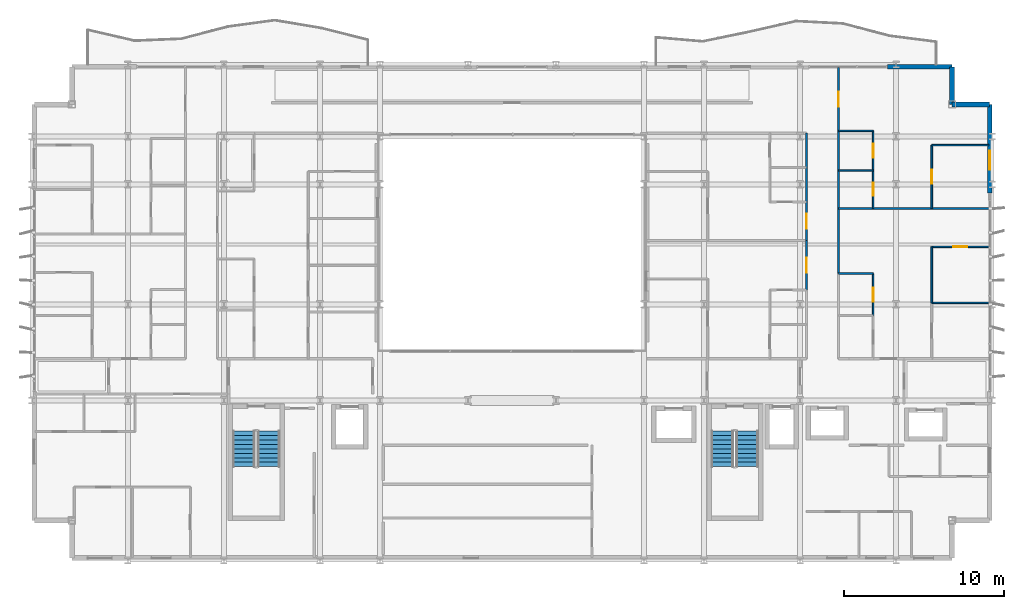
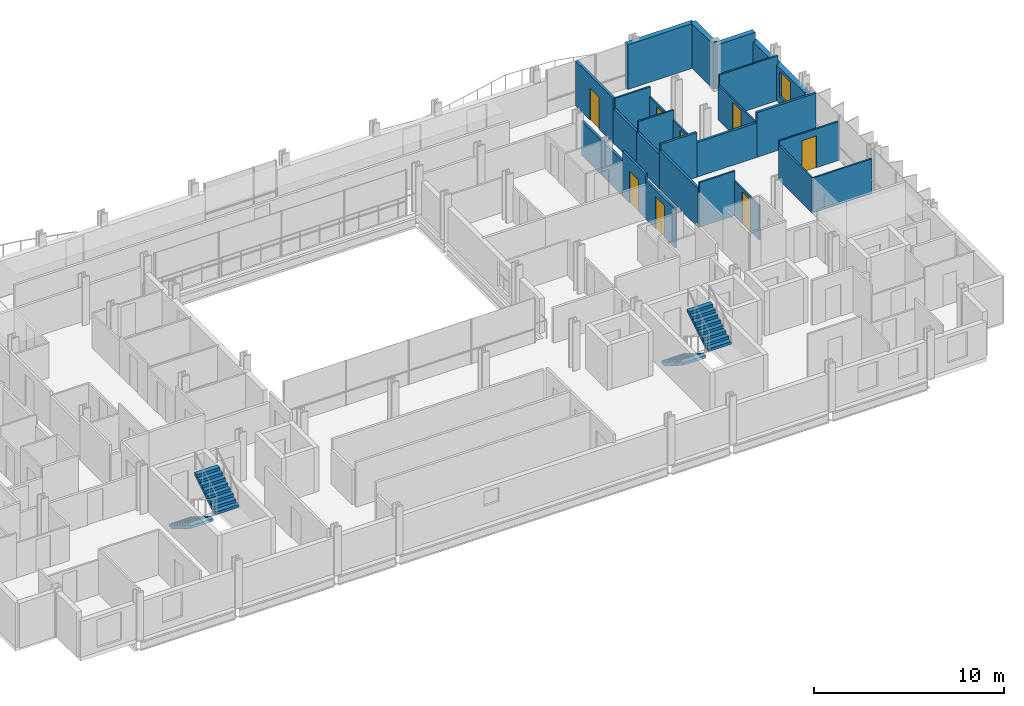
# One storey, part 32 of 38: 26 walls, 8 doors, 4 stair flights, 1 window, 9 openings, 2 elements without a shape of their own.
"""IFC4 building model written with IfcOpenShell, lengths in metres."""

from ifc_helpers import new_model, si_unit, direction, frame, frame_2d, origin, place, context, subcontext, project, spatial, polyline, rectangle, outline, extrude, material, layer, layer_set, type_object, element, fill, aggregate, save


model = new_model("IFC4")

# Units and contexts
model_context = context("Model", 3, precision=1e-05, world=origin(), true_north=direction((0.0, 1.0)))
body_context = subcontext(model_context, "Body", "Model", "MODEL_VIEW")
ifc_project = project(units=[si_unit("LENGTHUNIT", "METRE"), si_unit("AREAUNIT", "SQUARE_METRE"), si_unit("VOLUMEUNIT", "CUBIC_METRE"), si_unit("PLANEANGLEUNIT", "RADIAN"), si_unit("MASSUNIT", "GRAM", prefix="KILO")], contexts=[model_context])

# Site, building, storey
site_placement = place(None, origin())
site = spatial("IfcSite", under=ifc_project, at=site_placement, CompositionType="ELEMENT")
building_placement = place(site_placement, origin())
building = spatial("IfcBuilding", under=site, at=building_placement, Name="Brevholm Reach", CompositionType="ELEMENT")
storey_placement = place(building_placement, frame((0.0, 0.0, 59.0)))
storey = spatial("IfcBuildingStorey", under=building, at=storey_placement, Name="L16", CompositionType="ELEMENT", Elevation=59.0)

# Walls
ifc_material_1 = material(Name="Concrete C40/50", Category="concrete")
ifc_layer_1 = layer(ifc_material_1, 0.300048828125)
ifc_layer_set_1 = layer_set([ifc_layer_1], Name="Concrete C40/50")
wall_type_1 = type_object("IfcWallType", Name="WAL-EXT-300", PredefinedType="STANDARD", material=ifc_layer_set_1)
for number, where, z_axis, x_axis, name in (
    (1, (59.85009765625, 28.5, 0.0), (0.0, 0.0, 1.0), (-1.0, 0.0, 0.0), "L16 Facade Wall WAL-L16-CNE1"),
    (2, (57.5, 28.5, 0.0), (0.0, 0.0, 1.0), (0.0, 1.0, 0.0), "L16 Facade Wall WAL-L16-CNE2"),
):
    element("IfcWall", number, at=place(storey_placement, frame(where, z_axis=z_axis, x_axis=x_axis)), inside=storey, type_object=wall_type_1, Name=name, PredefinedType="STANDARD", context=body_context, shape_type="SweptSolid", body=[
        extrude(rectangle(XDim=2.35009765625, YDim=0.300048828125, at=frame_2d((1.175048828125, 0.0))), origin(), (0.0, 0.0, 1.0), 2.8701171875),
    ])

# Wall, opening, window
wall_1_placement = place(storey_placement, frame((59.85009765625, 22.949951171875, 0.0), z_axis=(0.0, 0.0, 1.0), x_axis=(0.0, 1.0, 0.0)))
wall_1 = element("IfcWall", 3, at=wall_1_placement, inside=storey, type_object=wall_type_1, Name="L16 Facade Wall WAL-L16-E-N", PredefinedType="STANDARD", context=body_context, shape_type="SweptSolid", body=[
    extrude(rectangle(XDim=5.550048828125, YDim=0.300048828125, at=frame_2d((2.77490234375, 0.0))), origin(), (0.0, 0.0, 1.0), 2.305419921875),
])
opening_1_placement = place(wall_1_placement, frame((1.449951171875, 0.0, 0.486083984375)))
opening_1 = element("IfcOpeningElement", 4, at=opening_1_placement, cuts=wall_1, Name="Opening WN-08", PredefinedType="OPENING", context=body_context, shape_type="SweptSolid", body=[
    extrude(rectangle(XDim=1.199951171875, YDim=1.60009765625, at=frame_2d((0.60009765625, 0.800048828125))), frame((0.0, 0.159912109375, 0.0), z_axis=(0.0, -1.0, 0.0), x_axis=(1.0, 0.0, 0.0)), (0.0, 0.0, 1.0), 0.320068359375),
])
ifc_material_2 = material(Name="Dark Anodised Aluminium and Solar-Control IGU Glass", Category="aluminium")
window_type = type_object("IfcWindowType", Name="WIN-RES-1200", PartitioningType="SINGLE_PANEL", PredefinedType="WINDOW", material=ifc_material_2)
window_placement = place(opening_1_placement, origin())
window = element("IfcWindow", 5, at=window_placement, inside=storey, type_object=window_type, Name="L16 Window WIN-L16-EN-1", OverallHeight=1.60009765625, OverallWidth=1.199951171875, PartitioningType="SINGLE_PANEL", PredefinedType="WINDOW", context=body_context, shape_type="SweptSolid", body=[
    extrude(rectangle(XDim=1.199951171875, YDim=1.60009765625, at=frame_2d((0.60009765625, 0.800048828125))), frame((0.0, 0.030029296875, 0.0), z_axis=(0.0, -1.0, 0.0), x_axis=(1.0, 0.0, 0.0)), (0.0, 0.0, 1.0), 0.06005859375),
])
fill(opening_1, window)

# Wall
wall_2_placement = place(storey_placement, frame((53.449951171875, 30.85009765625, 0.0), z_axis=(0.0, 0.0, 1.0), x_axis=(1.0, 0.0, 0.0)))
element("IfcWall", 6, at=wall_2_placement, inside=storey, type_object=wall_type_1, Name="L16 Facade Wall WAL-L16-NP-E0", PredefinedType="STANDARD", context=body_context, shape_type="SweptSolid", body=[
    extrude(rectangle(XDim=4.050048828125, YDim=0.300048828125, at=frame_2d((2.02490234375, 0.0))), origin(), (0.0, 0.0, 1.0), 2.8701171875),
])

# Wall, opening, door
ifc_material_3 = material(Name="Moisture-Resistant Acoustic Gypsum Stud Partition 100 mm", Category="gypsum")
ifc_layer_2 = layer(ifc_material_3, 0.10009765625)
ifc_layer_set_2 = layer_set([ifc_layer_2], Name="Moisture-Resistant Acoustic Gypsum Stud Partition 100 mm")
wall_type_2 = type_object("IfcWallType", Name="WAL-PRT-100", PredefinedType="PARTITIONING", material=ifc_layer_set_2)
wall_3_placement = place(storey_placement, frame((52.56201171875, 15.302001953125, 0.0), z_axis=(0.0, 0.0, 1.0), x_axis=(0.0, 1.0, 0.0)))
wall_3 = element("IfcWall", 7, at=wall_3_placement, inside=storey, type_object=wall_type_2, Name="L16 Internal Partition 133", PredefinedType="PARTITIONING", context=body_context, shape_type="SweptSolid", body=[
    extrude(rectangle(XDim=2.6279296875, YDim=0.10009765625, at=frame_2d((1.31396484375, 0.0))), origin(), (0.0, 0.0, 1.0), 2.224853515625),
])
opening_2_placement = place(wall_3_placement, frame((0.8740234375, 0.0, 0.0)))
opening_2 = element("IfcOpeningElement", 8, at=opening_2_placement, cuts=wall_3, Name="Opening ID-01", PredefinedType="OPENING", context=body_context, shape_type="SweptSolid", body=[
    extrude(rectangle(XDim=0.8798828125, YDim=2.0400390625, at=frame_2d((0.43994140625, 1.02001953125))), frame((0.0, 0.06005859375, 0.0), z_axis=(0.0, -1.0, 0.0), x_axis=(1.0, 0.0, 0.0)), (0.0, 0.0, 1.0), 0.1201171875),
])
ifc_material_4 = material(Name="Lacquered Ash Solid-Core Acoustic Internal Door", Category="timber")
door_type_1 = type_object("IfcDoorType", Name="DOR-INT-880", OperationType="NOTDEFINED", PredefinedType="DOOR", material=ifc_material_4)
door_1_placement = place(opening_2_placement, origin())
door_1 = element("IfcDoor", 9, at=door_1_placement, inside=storey, type_object=door_type_1, Name="L16 Internal Door 052", OperationType="SINGLE_SWING_RIGHT", OverallHeight=2.0400390625, OverallWidth=0.8798828125, PredefinedType="DOOR", context=body_context, shape_type="SweptSolid", body=[
    extrude(rectangle(XDim=0.8798828125, YDim=2.0400390625, at=frame_2d((0.43994140625, 1.02001953125))), frame((0.0, 0.02490234375, 0.0), z_axis=(0.0, -1.0, 0.0), x_axis=(1.0, 0.0, 0.0)), (0.0, 0.0, 1.0), 0.050048828125),
])
fill(opening_2, door_1)

# Walls
wall_4_placement = place(storey_placement, frame((50.404052734375, 17.929931640625, 0.0), z_axis=(0.0, 0.0, 1.0), x_axis=(1.0, 0.0, 0.0)))
element("IfcWall", 10, at=wall_4_placement, inside=storey, type_object=wall_type_2, Name="L16 Internal Partition 134", PredefinedType="PARTITIONING", context=body_context, shape_type="SweptSolid", body=[
    extrude(rectangle(XDim=2.157958984375, YDim=0.10009765625, at=frame_2d((1.0791015625, 0.0))), origin(), (0.0, 0.0, 1.0), 2.8701171875),
])
wall_5_placement = place(storey_placement, frame((56.22802734375, 16.10009765625, 0.0), z_axis=(0.0, 0.0, 1.0), x_axis=(1.0, 0.0, 0.0)))
element("IfcWall", 11, at=wall_5_placement, inside=storey, type_object=wall_type_2, Name="L16 Internal Partition 135", PredefinedType="PARTITIONING", context=body_context, shape_type="SweptSolid", body=[
    extrude(rectangle(XDim=3.572021484375, YDim=0.10009765625, at=frame_2d((1.7861328125, 0.0))), origin(), (0.0, 0.0, 1.0), 2.224853515625),
])

# Wall, opening, door
wall_6_placement = place(storey_placement, frame((56.22802734375, 19.60009765625, 0.0), z_axis=(0.0, 0.0, 1.0), x_axis=(1.0, 0.0, 0.0)))
wall_6 = element("IfcWall", 12, at=wall_6_placement, inside=storey, type_object=wall_type_2, Name="L16 Internal Partition 137", PredefinedType="PARTITIONING", context=body_context, shape_type="SweptSolid", body=[
    extrude(rectangle(XDim=3.572021484375, YDim=0.10009765625, at=frame_2d((1.7861328125, 0.0))), origin(), (0.0, 0.0, 1.0), 2.489990234375),
])
opening_3_placement = place(wall_6_placement, frame((1.345947265625, 0.0, 0.0)))
opening_3 = element("IfcOpeningElement", 13, at=opening_3_placement, cuts=wall_6, Name="Opening ID-01", PredefinedType="OPENING", context=body_context, shape_type="SweptSolid", body=[
    extrude(rectangle(XDim=0.8798828125, YDim=2.0400390625, at=frame_2d((0.43994140625, 1.02001953125))), frame((0.0, 0.06005859375, 0.0), z_axis=(0.0, -1.0, 0.0), x_axis=(1.0, 0.0, 0.0)), (0.0, 0.0, 1.0), 0.1201171875),
])
door_2_placement = place(opening_3_placement, origin())
door_2 = element("IfcDoor", 14, at=door_2_placement, inside=storey, type_object=door_type_1, Name="L16 Internal Door 054", OperationType="SINGLE_SWING_RIGHT", OverallHeight=2.0400390625, OverallWidth=0.8798828125, PredefinedType="DOOR", context=body_context, shape_type="SweptSolid", body=[
    extrude(rectangle(XDim=0.8798828125, YDim=2.0400390625, at=frame_2d((0.43994140625, 1.02001953125))), frame((0.0, 0.02490234375, 0.0), z_axis=(0.0, -1.0, 0.0), x_axis=(1.0, 0.0, 0.0)), (0.0, 0.0, 1.0), 0.050048828125),
])
fill(opening_3, door_2)

# Walls
wall_7_placement = place(storey_placement, frame((56.22802734375, 16.10400390625, 0.0), z_axis=(0.0, 0.0, 1.0), x_axis=(0.0, 1.0, 0.0)))
element("IfcWall", 15, at=wall_7_placement, inside=storey, type_object=wall_type_2, Name="L16 Internal Partition 138", PredefinedType="PARTITIONING", context=body_context, shape_type="SweptSolid", body=[
    extrude(rectangle(XDim=3.49609375, YDim=0.10009765625, at=frame_2d((1.748046875, 0.0))), origin(), (0.0, 0.0, 1.0), 2.224853515625),
])
wall_8_placement = place(storey_placement, frame((50.404052734375, 24.3759765625, 0.0), z_axis=(0.0, 0.0, 1.0), x_axis=(1.0, 0.0, 0.0)))
element("IfcWall", 16, at=wall_8_placement, inside=storey, type_object=wall_type_2, Name="L16 Internal Partition 142", PredefinedType="PARTITIONING", context=body_context, shape_type="SweptSolid", body=[
    extrude(rectangle(XDim=2.157958984375, YDim=0.10009765625, at=frame_2d((1.0791015625, 0.0))), origin(), (0.0, 0.0, 1.0), 2.8701171875),
])

# Wall, opening, door
wall_9_placement = place(storey_placement, frame((52.56201171875, 22.00390625, 0.0), z_axis=(0.0, 0.0, 1.0), x_axis=(0.0, 1.0, 0.0)))
wall_9 = element("IfcWall", 17, at=wall_9_placement, inside=storey, type_object=wall_type_2, Name="L16 Internal Partition 143", PredefinedType="PARTITIONING", context=body_context, shape_type="SweptSolid", body=[
    extrude(rectangle(XDim=2.3720703125, YDim=0.10009765625, at=frame_2d((1.18603515625, 0.0))), origin(), (0.0, 0.0, 1.0), 2.224853515625),
])
opening_4_placement = place(wall_9_placement, frame((0.77587890625, 0.0, 0.0)))
opening_4 = element("IfcOpeningElement", 18, at=opening_4_placement, cuts=wall_9, Name="Opening ID-03", PredefinedType="OPENING", context=body_context, shape_type="SweptSolid", body=[
    extrude(rectangle(XDim=0.820068359375, YDim=2.02001953125, at=frame_2d((0.41015625, 1.010009765625))), frame((0.0, 0.06005859375, 0.0), z_axis=(0.0, -1.0, 0.0), x_axis=(1.0, 0.0, 0.0)), (0.0, 0.0, 1.0), 0.1201171875),
])
ifc_material_5 = material(Name="Moisture-Resistant Painted Timber Internal Bathroom Door", Category="wood")
door_type_2 = type_object("IfcDoorType", Name="DOR-BATH-820", OperationType="NOTDEFINED", PredefinedType="DOOR", material=ifc_material_5)
door_3_placement = place(opening_4_placement, origin())
door_3 = element("IfcDoor", 19, at=door_3_placement, inside=storey, type_object=door_type_2, Name="L16 Internal Door 055", OperationType="SINGLE_SWING_LEFT", OverallHeight=2.02001953125, OverallWidth=0.820068359375, PredefinedType="DOOR", context=body_context, shape_type="SweptSolid", body=[
    extrude(rectangle(XDim=0.820068359375, YDim=2.02001953125, at=frame_2d((0.41015625, 1.010009765625))), frame((0.0, 0.02490234375, 0.0), z_axis=(0.0, -1.0, 0.0), x_axis=(1.0, 0.0, 0.0)), (0.0, 0.0, 1.0), 0.050048828125),
])
fill(opening_4, door_3)

wall_10_placement = place(storey_placement, frame((52.56201171875, 24.3798828125, 0.0), z_axis=(0.0, 0.0, 1.0), x_axis=(0.0, 1.0, 0.0)))
wall_10 = element("IfcWall", 20, at=wall_10_placement, inside=storey, type_object=wall_type_2, Name="L16 Internal Partition 144", PredefinedType="PARTITIONING", context=body_context, shape_type="SweptSolid", body=[
    extrude(rectangle(XDim=2.460205078125, YDim=0.10009765625, at=frame_2d((1.22998046875, 0.0))), origin(), (0.0, 0.0, 1.0), 2.224853515625),
])
opening_5_placement = place(wall_10_placement, frame((0.7900390625, 0.0, 0.0)))
opening_5 = element("IfcOpeningElement", 21, at=opening_5_placement, cuts=wall_10, Name="Opening ID-01", PredefinedType="OPENING", context=body_context, shape_type="SweptSolid", body=[
    extrude(rectangle(XDim=0.8798828125, YDim=2.0400390625, at=frame_2d((0.43994140625, 1.02001953125))), frame((0.0, 0.06005859375, 0.0), z_axis=(0.0, -1.0, 0.0), x_axis=(1.0, 0.0, 0.0)), (0.0, 0.0, 1.0), 0.1201171875),
])
door_4_placement = place(opening_5_placement, origin())
door_4 = element("IfcDoor", 22, at=door_4_placement, inside=storey, type_object=door_type_1, Name="L16 Internal Door 056", OperationType="SINGLE_SWING_RIGHT", OverallHeight=2.0400390625, OverallWidth=0.8798828125, PredefinedType="DOOR", context=body_context, shape_type="SweptSolid", body=[
    extrude(rectangle(XDim=0.8798828125, YDim=2.0400390625, at=frame_2d((0.43994140625, 1.02001953125))), frame((0.0, 0.02490234375, 0.0), z_axis=(0.0, -1.0, 0.0), x_axis=(1.0, 0.0, 0.0)), (0.0, 0.0, 1.0), 0.050048828125),
])
fill(opening_5, door_4)

# Walls
wall_11_placement = place(storey_placement, frame((50.404052734375, 26.840087890625, 0.0), z_axis=(0.0, 0.0, 1.0), x_axis=(1.0, 0.0, 0.0)))
element("IfcWall", 23, at=wall_11_placement, inside=storey, type_object=wall_type_2, Name="L16 Internal Partition 145", PredefinedType="PARTITIONING", context=body_context, shape_type="SweptSolid", body=[
    extrude(rectangle(XDim=2.157958984375, YDim=0.10009765625, at=frame_2d((1.0791015625, 0.0))), origin(), (0.0, 0.0, 1.0), 2.8701171875),
])
wall_12_placement = place(storey_placement, frame((56.22802734375, 25.949951171875, 0.0), z_axis=(0.0, 0.0, 1.0), x_axis=(1.0, 0.0, 0.0)))
element("IfcWall", 24, at=wall_12_placement, inside=storey, type_object=wall_type_2, Name="L16 Internal Partition 146", PredefinedType="PARTITIONING", context=body_context, shape_type="SweptSolid", body=[
    extrude(rectangle(XDim=3.572021484375, YDim=0.10009765625, at=frame_2d((1.7861328125, 0.0))), origin(), (0.0, 0.0, 1.0), 2.8701171875),
])

# Wall, opening, door
wall_13_placement = place(storey_placement, frame((56.22802734375, 22.00390625, 0.0), z_axis=(0.0, 0.0, 1.0), x_axis=(0.0, 1.0, 0.0)))
wall_13 = element("IfcWall", 25, at=wall_13_placement, inside=storey, type_object=wall_type_2, Name="L16 Internal Partition 147", PredefinedType="PARTITIONING", context=body_context, shape_type="SweptSolid", body=[
    extrude(rectangle(XDim=3.946044921875, YDim=0.10009765625, at=frame_2d((1.97314453125, 0.0))), origin(), (0.0, 0.0, 1.0), 2.224853515625),
])
opening_6_placement = place(wall_13_placement, frame((1.532958984375, 0.0, 0.0)))
opening_6 = element("IfcOpeningElement", 26, at=opening_6_placement, cuts=wall_13, Name="Opening ID-01", PredefinedType="OPENING", context=body_context, shape_type="SweptSolid", body=[
    extrude(rectangle(XDim=0.8798828125, YDim=2.0400390625, at=frame_2d((0.43994140625, 1.02001953125))), frame((0.0, 0.06005859375, 0.0), z_axis=(0.0, -1.0, 0.0), x_axis=(1.0, 0.0, 0.0)), (0.0, 0.0, 1.0), 0.1201171875),
])
door_5_placement = place(opening_6_placement, origin())
door_5 = element("IfcDoor", 27, at=door_5_placement, inside=storey, type_object=door_type_1, Name="L16 Internal Door 057", OperationType="SINGLE_SWING_LEFT", OverallHeight=2.0400390625, OverallWidth=0.8798828125, PredefinedType="DOOR", context=body_context, shape_type="SweptSolid", body=[
    extrude(rectangle(XDim=0.8798828125, YDim=2.0400390625, at=frame_2d((0.43994140625, 1.02001953125))), frame((0.0, 0.02490234375, 0.0), z_axis=(0.0, -1.0, 0.0), x_axis=(1.0, 0.0, 0.0)), (0.0, 0.0, 1.0), 0.050048828125),
])
fill(opening_6, door_5)

ifc_material_6 = material(Name="Twin-Stud Acoustic Fire-Rated Gypsum Partition 140 mm", Category="gypsum")
ifc_layer_3 = layer(ifc_material_6, 0.139892578125)
ifc_layer_set_3 = layer_set([ifc_layer_3], Name="Twin-Stud Acoustic Fire-Rated Gypsum Partition 140 mm")
wall_type_3 = type_object("IfcWallType", Name="WAL-PRT-140", PredefinedType="PARTITIONING", material=ifc_layer_set_3)
wall_14_placement = place(storey_placement, frame((48.39990234375, 16.892578125, 0.0), z_axis=(0.0, 0.0, 1.0), x_axis=(0.0, 1.0, 0.0)))
wall_14 = element("IfcWall", 28, at=wall_14_placement, inside=storey, type_object=wall_type_3, Name="L16 Internal Partition 044", PredefinedType="PARTITIONING", context=body_context, shape_type="SweptSolid", body=[
    extrude(rectangle(XDim=3.11865234375, YDim=0.139892578125, at=frame_2d((1.559326171875, 0.0))), origin(), (0.0, 0.0, 1.0), 2.489990234375),
])
opening_7_placement = place(wall_14_placement, frame((1.084228515625, 0.0, 0.0)))
opening_7 = element("IfcOpeningElement", 29, at=opening_7_placement, cuts=wall_14, Name="Opening ID-30", PredefinedType="OPENING", context=body_context, shape_type="SweptSolid", body=[
    extrude(rectangle(XDim=0.949951171875, YDim=2.050048828125, at=frame_2d((0.47509765625, 1.02490234375))), frame((0.0, 0.079833984375, 0.0), z_axis=(0.0, -1.0, 0.0), x_axis=(1.0, 0.0, 0.0)), (0.0, 0.0, 1.0), 0.159912109375),
])
ifc_material_7 = material(Name="European Oak Veneered Solid-Core Fire Entrance Door", Category="timber")
door_type_3 = type_object("IfcDoorType", Name="DOR-FLT-FD30S", OperationType="NOTDEFINED", PredefinedType="DOOR", material=ifc_material_7)
door_6_placement = place(opening_7_placement, origin())
door_6 = element("IfcDoor", 30, at=door_6_placement, inside=storey, type_object=door_type_3, Name="L16 Internal Door 018", OperationType="SINGLE_SWING_RIGHT", OverallHeight=2.050048828125, OverallWidth=0.949951171875, PredefinedType="DOOR", context=body_context, shape_type="SweptSolid", body=[
    extrude(rectangle(XDim=0.949951171875, YDim=2.050048828125, at=frame_2d((0.47509765625, 1.02490234375))), frame((0.0, 0.02490234375, 0.0), z_axis=(0.0, -1.0, 0.0), x_axis=(1.0, 0.0, 0.0)), (0.0, 0.0, 1.0), 0.050048828125),
])
fill(opening_7, door_6)

# Walls
wall_15_placement = place(storey_placement, frame((48.39990234375, 24.538818359375, 0.0), z_axis=(0.0, 0.0, 1.0), x_axis=(0.0, 1.0, 0.0)))
element("IfcWall", 31, at=wall_15_placement, inside=storey, type_object=wall_type_3, Name="L16 Internal Partition 045", PredefinedType="PARTITIONING", context=body_context, shape_type="SweptSolid", body=[
    extrude(rectangle(XDim=2.16845703125, YDim=0.139892578125, at=frame_2d((1.084228515625, 0.0))), origin(), (0.0, 0.0, 1.0), 2.224853515625),
])
wall_16_placement = place(storey_placement, frame((48.39990234375, 22.388671875, 0.0), z_axis=(0.0, 0.0, 1.0), x_axis=(0.0, 1.0, 0.0)))
element("IfcWall", 32, at=wall_16_placement, inside=storey, type_object=wall_type_3, Name="L16 Internal Partition 046", PredefinedType="PARTITIONING", context=body_context, shape_type="SweptSolid", body=[
    extrude(rectangle(XDim=2.168701171875, YDim=0.139892578125, at=frame_2d((1.08447265625, 0.0))), origin(), (0.0, 0.0, 1.0), 2.224853515625),
])

# Wall, opening, door
wall_17_placement = place(storey_placement, frame((48.39990234375, 19.99267578125, 0.0), z_axis=(0.0, 0.0, 1.0), x_axis=(0.0, 1.0, 0.0)))
wall_17 = element("IfcWall", 33, at=wall_17_placement, inside=storey, type_object=wall_type_3, Name="L16 Internal Partition 047", PredefinedType="PARTITIONING", context=body_context, shape_type="SweptSolid", body=[
    extrude(rectangle(XDim=2.41455078125, YDim=0.139892578125, at=frame_2d((1.207275390625, 0.0))), origin(), (0.0, 0.0, 1.0), 2.8701171875),
])
opening_8_placement = place(wall_17_placement, frame((0.732421875, 0.0, 0.0)))
opening_8 = element("IfcOpeningElement", 34, at=opening_8_placement, cuts=wall_17, Name="Opening ID-30", PredefinedType="OPENING", context=body_context, shape_type="SweptSolid", body=[
    extrude(rectangle(XDim=0.949951171875, YDim=2.050048828125, at=frame_2d((0.47509765625, 1.02490234375))), frame((0.0, 0.079833984375, 0.0), z_axis=(0.0, -1.0, 0.0), x_axis=(1.0, 0.0, 0.0)), (0.0, 0.0, 1.0), 0.159912109375),
])
door_7_placement = place(opening_8_placement, origin())
door_7 = element("IfcDoor", 35, at=door_7_placement, inside=storey, type_object=door_type_3, Name="L16 Internal Door 019", OperationType="SINGLE_SWING_LEFT", OverallHeight=2.050048828125, OverallWidth=0.949951171875, PredefinedType="DOOR", context=body_context, shape_type="SweptSolid", body=[
    extrude(rectangle(XDim=0.949951171875, YDim=2.050048828125, at=frame_2d((0.47509765625, 1.02490234375))), frame((0.0, 0.02490234375, 0.0), z_axis=(0.0, -1.0, 0.0), x_axis=(1.0, 0.0, 0.0)), (0.0, 0.0, 1.0), 0.050048828125),
])
fill(opening_8, door_7)

# Walls
wall_18_placement = place(storey_placement, frame((50.39990234375, 17.922607421875, 0.0), z_axis=(0.0, 0.0, 1.0), x_axis=(0.0, 1.0, 0.0)))
element("IfcWall", 36, at=wall_18_placement, inside=storey, type_object=wall_type_3, Name="L16 Internal Partition 050", PredefinedType="PARTITIONING", context=body_context, shape_type="SweptSolid", body=[
    extrude(rectangle(XDim=4.088623046875, YDim=0.139892578125, at=frame_2d((2.04443359375, 0.0))), origin(), (0.0, 0.0, 1.0), 2.489990234375),
])
wall_19_placement = place(storey_placement, frame((50.39990234375, 21.99267578125, 0.0), z_axis=(0.0, 0.0, 1.0), x_axis=(0.0, 1.0, 0.0)))
element("IfcWall", 37, at=wall_19_placement, inside=storey, type_object=wall_type_3, Name="L16 Internal Partition 051", PredefinedType="PARTITIONING", context=body_context, shape_type="SweptSolid", body=[
    extrude(rectangle(XDim=2.39453125, YDim=0.139892578125, at=frame_2d((1.197265625, 0.0))), origin(), (0.0, 0.0, 1.0), 2.224853515625),
])
wall_20_placement = place(storey_placement, frame((50.39990234375, 24.36865234375, 0.0), z_axis=(0.0, 0.0, 1.0), x_axis=(0.0, 1.0, 0.0)))
element("IfcWall", 38, at=wall_20_placement, inside=storey, type_object=wall_type_3, Name="L16 Internal Partition 052", PredefinedType="PARTITIONING", context=body_context, shape_type="SweptSolid", body=[
    extrude(rectangle(XDim=2.482666015625, YDim=0.139892578125, at=frame_2d((1.2412109375, 0.0))), origin(), (0.0, 0.0, 1.0), 2.224853515625),
])

# Wall, opening, door
wall_21_placement = place(storey_placement, frame((50.39990234375, 26.832763671875, 0.0), z_axis=(0.0, 0.0, 1.0), x_axis=(0.0, 1.0, 0.0)))
wall_21 = element("IfcWall", 39, at=wall_21_placement, inside=storey, type_object=wall_type_3, Name="L16 Internal Partition 053", PredefinedType="PARTITIONING", context=body_context, shape_type="SweptSolid", body=[
    extrude(rectangle(XDim=3.96728515625, YDim=0.139892578125, at=frame_2d((1.983642578125, 0.0))), origin(), (0.0, 0.0, 1.0), 2.8701171875),
])
opening_9_placement = place(wall_21_placement, frame((1.5087890625, 0.0, 0.0)))
opening_9 = element("IfcOpeningElement", 40, at=opening_9_placement, cuts=wall_21, Name="Opening ID-30", PredefinedType="OPENING", context=body_context, shape_type="SweptSolid", body=[
    extrude(rectangle(XDim=0.949951171875, YDim=2.050048828125, at=frame_2d((0.47509765625, 1.02490234375))), frame((0.0, 0.079833984375, 0.0), z_axis=(0.0, -1.0, 0.0), x_axis=(1.0, 0.0, 0.0)), (0.0, 0.0, 1.0), 0.159912109375),
])
door_8_placement = place(opening_9_placement, origin())
door_8 = element("IfcDoor", 41, at=door_8_placement, inside=storey, type_object=door_type_3, Name="L16 Internal Door 020", OperationType="SINGLE_SWING_RIGHT", OverallHeight=2.050048828125, OverallWidth=0.949951171875, PredefinedType="DOOR", context=body_context, shape_type="SweptSolid", body=[
    extrude(rectangle(XDim=0.949951171875, YDim=2.050048828125, at=frame_2d((0.47509765625, 1.02490234375))), frame((0.0, 0.02490234375, 0.0), z_axis=(0.0, -1.0, 0.0), x_axis=(1.0, 0.0, 0.0)), (0.0, 0.0, 1.0), 0.050048828125),
])
fill(opening_9, door_8)

# Walls
wall_22_placement = place(storey_placement, frame((50.404052734375, 22.0, 0.0), z_axis=(0.0, 0.0, 1.0), x_axis=(1.0, 0.0, 0.0)))
element("IfcWall", 42, at=wall_22_placement, inside=storey, type_object=wall_type_3, Name="L16 Internal Partition 139", PredefinedType="PARTITIONING", context=body_context, shape_type="SweptSolid", body=[
    extrude(rectangle(XDim=2.169189453125, YDim=0.139892578125, at=frame_2d((1.08447265625, 0.0))), origin(), (0.0, 0.0, 1.0), 2.8701171875),
])
wall_23_placement = place(storey_placement, frame((56.216796875, 22.0, 0.0), z_axis=(0.0, 0.0, 1.0), x_axis=(1.0, 0.0, 0.0)))
element("IfcWall", 43, at=wall_23_placement, inside=storey, type_object=wall_type_3, Name="L16 Internal Partition 140", PredefinedType="PARTITIONING", context=body_context, shape_type="SweptSolid", body=[
    extrude(rectangle(XDim=3.583251953125, YDim=0.139892578125, at=frame_2d((1.79150390625, 0.0))), origin(), (0.0, 0.0, 1.0), 2.8701171875),
])
wall_24_placement = place(storey_placement, frame((52.5546875, 22.0, 0.0), z_axis=(0.0, 0.0, 1.0), x_axis=(1.0, 0.0, 0.0)))
element("IfcWall", 44, at=wall_24_placement, inside=storey, type_object=wall_type_3, Name="L16 Internal Partition 141", PredefinedType="PARTITIONING", context=body_context, shape_type="SweptSolid", body=[
    extrude(rectangle(XDim=3.6806640625, YDim=0.139892578125, at=frame_2d((1.84033203125, 0.0))), origin(), (0.0, 0.0, 1.0), 2.224853515625),
])

# Stair, stair flights
ifc_material_8 = material(Name="Precast Concrete C40/50", Category="concrete")
stair_type = type_object("IfcStairType", Name="STR-ESC-1400", PredefinedType="DOUBLE_RETURN_STAIR", material=ifc_material_8)
stair_1_placement = place(storey_placement, origin())
stair_1 = element("IfcStair", 45, at=stair_1_placement, inside=storey, type_object=stair_type, Name="L16 ST-1", PredefinedType="DOUBLE_RETURN_STAIR")
ifc_material_9 = material(Name="Precast Concrete C40/50", Category="concrete")
ifc_layer_4 = layer(ifc_material_9, 0.18505859375)
ifc_layer_set_4 = layer_set([ifc_layer_4], Name="Precast Concrete C40/50")
stair_flight_type = type_object("IfcStairFlightType", Name="STF-PRC-185", PredefinedType="STRAIGHT", material=ifc_layer_set_4)
stair_flight_1_placement = place(storey_placement, frame((13.25, 8.10009765625, 0.0), z_axis=(0.0, 0.0, 1.0), x_axis=(0.0, -1.0, 0.0)))
stair_flight_1 = element("IfcStairFlight", 46, at=stair_flight_1_placement, type_object=stair_flight_type, Name="ST-1 flight 1", NumberOfRisers=9, NumberOfTreads=8, PredefinedType="STRAIGHT", RiserHeight=0.172222222, TreadLength=0.28, context=body_context, shape_type="SweptSolid", body=[
    extrude(outline(polyline([(0.0, 0.0), (0.0, 0.172119140625), (0.280029296875, 0.172119140625), (0.280029296875, 0.344482421875), (0.56005859375, 0.344482421875), (0.56005859375, 0.5166015625), (0.840087890625, 0.5166015625), (0.840087890625, 0.68896484375), (1.1201171875, 0.68896484375), (1.1201171875, 0.861083984375), (1.39990234375, 0.861083984375), (1.39990234375, 1.033447265625), (1.679931640625, 1.033447265625), (1.679931640625, 1.20556640625), (1.9599609375, 1.20556640625), (1.9599609375, 1.377685546875), (2.239990234375, 1.377685546875), (2.239990234375, 1.550048828125), (2.239990234375, 1.201904296875), (0.2861328125, 0.0), (0.0, 0.0)])), frame((0.0, 0.699951171875, 0.0), z_axis=(0.0, -1.0, 0.0), x_axis=(1.0, 0.0, 0.0)), (0.0, 0.0, 1.0), 1.39990234375),
])
stair_flight_2_placement = place(storey_placement, frame((14.800048828125, 5.860107421875, 1.550048828125), z_axis=(0.0, 0.0, 1.0), x_axis=(0.0, 1.0, 0.0)))
stair_flight_2 = element("IfcStairFlight", 47, at=stair_flight_2_placement, type_object=stair_flight_type, Name="ST-1 flight 2", NumberOfRisers=9, NumberOfTreads=8, PredefinedType="STRAIGHT", RiserHeight=0.172222222, TreadLength=0.28, context=body_context, shape_type="SweptSolid", body=[
    extrude(outline(polyline([(0.0, 0.0), (0.0, 0.172119140625), (0.280029296875, 0.172119140625), (0.280029296875, 0.344482421875), (0.56005859375, 0.344482421875), (0.56005859375, 0.5166015625), (0.840087890625, 0.5166015625), (0.840087890625, 0.68896484375), (1.1201171875, 0.68896484375), (1.1201171875, 0.861083984375), (1.39990234375, 0.861083984375), (1.39990234375, 1.033447265625), (1.679931640625, 1.033447265625), (1.679931640625, 1.20556640625), (1.9599609375, 1.20556640625), (1.9599609375, 1.377685546875), (2.239990234375, 1.377685546875), (2.239990234375, 1.550048828125), (2.239990234375, 1.201904296875), (0.2861328125, 0.0), (0.0, 0.0)])), frame((0.0, 0.699951171875, 0.0), z_axis=(0.0, -1.0, 0.0), x_axis=(1.0, 0.0, 0.0)), (0.0, 0.0, 1.0), 1.39990234375),
])
aggregate(stair_1, [stair_flight_1, stair_flight_2])

stair_2_placement = place(storey_placement, origin())
stair_2 = element("IfcStair", 48, at=stair_2_placement, inside=storey, type_object=stair_type, Name="L16 ST-2", PredefinedType="DOUBLE_RETURN_STAIR")
stair_flight_3_placement = place(storey_placement, frame((43.14990234375, 8.10009765625, 0.0), z_axis=(0.0, 0.0, 1.0), x_axis=(0.0, -1.0, 0.0)))
stair_flight_3 = element("IfcStairFlight", 49, at=stair_flight_3_placement, type_object=stair_flight_type, Name="ST-2 flight 1", NumberOfRisers=9, NumberOfTreads=8, PredefinedType="STRAIGHT", RiserHeight=0.172222222, TreadLength=0.28, context=body_context, shape_type="SweptSolid", body=[
    extrude(outline(polyline([(0.0, 0.0), (0.0, 0.172119140625), (0.280029296875, 0.172119140625), (0.280029296875, 0.344482421875), (0.56005859375, 0.344482421875), (0.56005859375, 0.5166015625), (0.840087890625, 0.5166015625), (0.840087890625, 0.68896484375), (1.1201171875, 0.68896484375), (1.1201171875, 0.861083984375), (1.39990234375, 0.861083984375), (1.39990234375, 1.033447265625), (1.679931640625, 1.033447265625), (1.679931640625, 1.20556640625), (1.9599609375, 1.20556640625), (1.9599609375, 1.377685546875), (2.239990234375, 1.377685546875), (2.239990234375, 1.550048828125), (2.239990234375, 1.201904296875), (0.2861328125, 0.0), (0.0, 0.0)])), frame((0.0, 0.699951171875, 0.0), z_axis=(0.0, -1.0, 0.0), x_axis=(1.0, 0.0, 0.0)), (0.0, 0.0, 1.0), 1.39990234375),
])
stair_flight_4_placement = place(storey_placement, frame((44.699951171875, 5.860107421875, 1.550048828125), z_axis=(0.0, 0.0, 1.0), x_axis=(0.0, 1.0, 0.0)))
stair_flight_4 = element("IfcStairFlight", 50, at=stair_flight_4_placement, type_object=stair_flight_type, Name="ST-2 flight 2", NumberOfRisers=9, NumberOfTreads=8, PredefinedType="STRAIGHT", RiserHeight=0.172222222, TreadLength=0.28, context=body_context, shape_type="SweptSolid", body=[
    extrude(outline(polyline([(0.0, 0.0), (0.0, 0.172119140625), (0.280029296875, 0.172119140625), (0.280029296875, 0.344482421875), (0.56005859375, 0.344482421875), (0.56005859375, 0.5166015625), (0.840087890625, 0.5166015625), (0.840087890625, 0.68896484375), (1.1201171875, 0.68896484375), (1.1201171875, 0.861083984375), (1.39990234375, 0.861083984375), (1.39990234375, 1.033447265625), (1.679931640625, 1.033447265625), (1.679931640625, 1.20556640625), (1.9599609375, 1.20556640625), (1.9599609375, 1.377685546875), (2.239990234375, 1.377685546875), (2.239990234375, 1.550048828125), (2.239990234375, 1.201904296875), (0.2861328125, 0.0), (0.0, 0.0)])), frame((0.0, 0.699951171875, 0.0), z_axis=(0.0, -1.0, 0.0), x_axis=(1.0, 0.0, 0.0)), (0.0, 0.0, 1.0), 1.39990234375),
])
aggregate(stair_2, [stair_flight_3, stair_flight_4])

save(model, "model.ifc")
